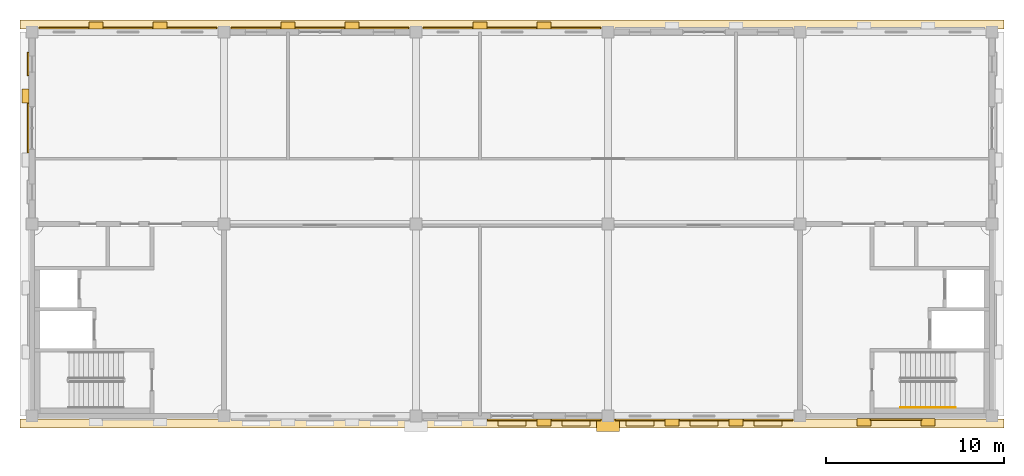
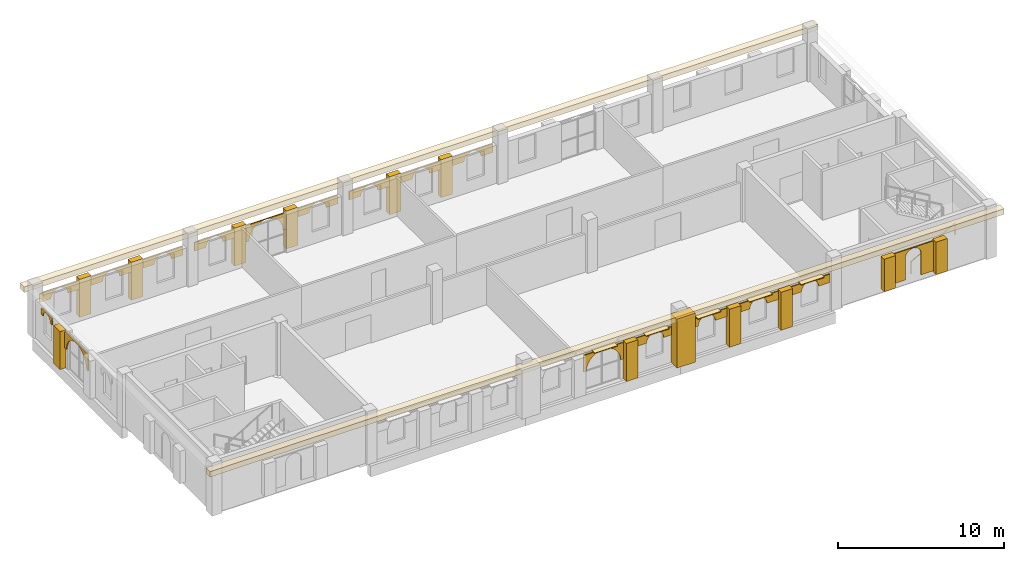
# One storey, part 16 of 17: 37 coverings, 1 railing.
"""IFC4 building model written with IfcOpenShell, lengths in metres."""

import ifcopenshell
import ifcopenshell.guid

model = None  # the IFC model being written
_history = None  # IfcOwnerHistory: only IFC2X3 demands one
_inside = {}  # id of a spatial element -> (the spatial element, [elements in it])
_under = {}  # id of a project, library or spatial element -> (it, [spatial elements below it])
_declared = {}  # id of a project -> (the project, [libraries it declares])
_typed = {}  # id of a type object -> (the type object, [elements of that type])
_made_of = {}  # id of a material, layer set ... -> (it, [elements and type objects made of it])


def new_model(schema):
    """Start an empty IFC model of exactly this schema.

    Asked for "IFC4X3", IfcOpenShell would pick the latest addendum, in which some entities
    have other attributes; the version numbers below select the first issue.
    IFC2X3 requires an IfcOwnerHistory on every rooted entity: one is made here for all.
    """
    global model, _history
    if schema == "IFC4X3":
        model = ifcopenshell.file(schema_version=(4, 3, 0, 0))
    else:
        model = ifcopenshell.file(schema=schema)
    _inside.clear()
    _under.clear()
    _declared.clear()
    _typed.clear()
    _made_of.clear()
    _history = None
    if model.schema == "IFC2X3":
        org = make("IfcOrganization", Name="unknown")
        user = make(
            "IfcPersonAndOrganization",
            ThePerson=make("IfcPerson", FamilyName="unknown"),
            TheOrganization=org,
        )
        app = make(
            "IfcApplication",
            ApplicationDeveloper=org,
            Version="unknown",
            ApplicationFullName="unknown",
            ApplicationIdentifier="unknown",
        )
        _history = make(
            "IfcOwnerHistory",
            OwningUser=user,
            OwningApplication=app,
            ChangeAction="ADDED",
            CreationDate=0,
        )
    return model


def make(cls, **values):
    """One entity of the class cls with the attributes given. An attribute that is None is left unset."""
    return model.create_entity(
        cls, **{name: value for name, value in values.items() if value is not None}
    )


def rooted(cls, **values):
    """An entity with a GlobalId (a new one), such as an element, a storey or a relation."""
    return make(cls, GlobalId=ifcopenshell.guid.new(), OwnerHistory=_history, **values)


def si_unit(unit_type, name, prefix=None):
    """IfcSIUnit, for example si_unit("LENGTHUNIT", "METRE", prefix="MILLI")."""
    return make("IfcSIUnit", UnitType=unit_type, Prefix=prefix, Name=name)


def assignment(units):
    """IfcUnitAssignment: the units of a project."""
    return None if units is None else make("IfcUnitAssignment", Units=units)


def point(xyz):
    """IfcCartesianPoint."""
    return None if xyz is None else make("IfcCartesianPoint", Coordinates=xyz)


def direction(xyz):
    """IfcDirection."""
    return None if xyz is None else make("IfcDirection", DirectionRatios=xyz)


def frame(location, z_axis=None, x_axis=None):
    """IfcAxis2Placement3D, a coordinate frame: its origin and axes. An axis left out is left unset."""
    return make(
        "IfcAxis2Placement3D",
        Location=point(location),
        Axis=direction(z_axis),
        RefDirection=direction(x_axis),
    )


def frame_2d(location, x_axis=None):
    """IfcAxis2Placement2D, a coordinate frame in the plane: its origin and x axis."""
    return make(
        "IfcAxis2Placement2D", Location=point(location), RefDirection=direction(x_axis)
    )


def origin():
    """The frame at (0, 0, 0) with its axes left unset."""
    return frame((0.0, 0.0, 0.0))


def origin_2d():
    """The frame at (0, 0) in the plane with its x axis left unset."""
    return frame_2d((0.0, 0.0))


def place(relative_to, where):
    """IfcLocalPlacement: puts the frame where relative to a parent placement (None: the world)."""
    return make(
        "IfcLocalPlacement", PlacementRelTo=relative_to, RelativePlacement=where
    )


def context(
    kind, dimensions, precision=None, world=None, true_north=None, identifier=None
):
    """IfcGeometricRepresentationContext, for example the 3D "Model" context."""
    return make(
        "IfcGeometricRepresentationContext",
        ContextIdentifier=identifier,
        ContextType=kind,
        CoordinateSpaceDimension=dimensions,
        Precision=precision,
        WorldCoordinateSystem=world,
        TrueNorth=true_north,
    )


def subcontext(parent, identifier, kind, view, scale=None):
    """IfcGeometricRepresentationSubContext, for example "Body" below "Model"."""
    return make(
        "IfcGeometricRepresentationSubContext",
        ContextIdentifier=identifier,
        ContextType=kind,
        ParentContext=parent,
        TargetScale=scale,
        TargetView=view,
    )


def project(units=None, contexts=None):
    """IfcProject with its units and contexts."""
    return rooted(
        "IfcProject",
        Name="project",
        RepresentationContexts=contexts,
        UnitsInContext=assignment(units),
    )


def spatial(cls, under=None, at=None, **own):
    """A site, building, storey or space (cls), placed at a placement, below another one or the project."""
    s = rooted(cls, ObjectPlacement=at, **own)
    if under is not None:
        _under.setdefault(under.id(), (under, []))[1].append(s)
    return s


def polyline(points):
    """IfcPolyline through the points."""
    return make("IfcPolyline", Points=[point(p) for p in points])


def profile(cls, at=None, kind="AREA", **sizes):
    """A parametric profile (cls). Its sizes go by their IFC names, for example OverallWidth=200.0."""
    return make(cls, ProfileType=kind, Position=at, **sizes)


def rectangle(**sizes):
    """IfcRectangleProfileDef."""
    return profile("IfcRectangleProfileDef", **sizes)


def circle(**sizes):
    """IfcCircleProfileDef."""
    return profile("IfcCircleProfileDef", **sizes)


def outline(outer, holes=None, kind="AREA"):
    """IfcArbitraryClosedProfileDef: a profile drawn as a closed curve; with holes, ...WithVoids."""
    if holes is None:
        return make("IfcArbitraryClosedProfileDef", ProfileType=kind, OuterCurve=outer)
    return make(
        "IfcArbitraryProfileDefWithVoids",
        ProfileType=kind,
        OuterCurve=outer,
        InnerCurves=holes,
    )


def extrude(swept, where, along, depth):
    """IfcExtrudedAreaSolid: the profile swept, set in the frame where, extruded along a direction by depth."""
    return make(
        "IfcExtrudedAreaSolid",
        SweptArea=swept,
        Position=where,
        ExtrudedDirection=direction(along),
        Depth=depth,
    )


def shape(context_of_items, identifier, shape_type, items):
    """IfcShapeRepresentation: the items that make up one representation, for example the "Body"."""
    return make(
        "IfcShapeRepresentation",
        ContextOfItems=context_of_items,
        RepresentationIdentifier=identifier,
        RepresentationType=shape_type,
        Items=items,
    )


def material(Name=None, Category=None):
    """IfcMaterial."""
    return make("IfcMaterial", Name=Name, Category=Category)


def layer(
    of_material, thickness, ventilated=None, Name=None, Category=None, Priority=None
):
    """IfcMaterialLayer: one layer of a wall or slab, of a material (None: an air gap)."""
    return make(
        "IfcMaterialLayer",
        Material=of_material,
        LayerThickness=thickness,
        IsVentilated=ventilated,
        Name=Name,
        Category=Category,
        Priority=Priority,
    )


def layer_set(layers, Name=None):
    """IfcMaterialLayerSet."""
    return make("IfcMaterialLayerSet", MaterialLayers=layers, LayerSetName=Name)


def made_of(thing, what):
    """Note that an element or type object is made of a material, layer set ...; save() writes the relation."""
    if what is not None:
        _made_of.setdefault(what.id(), (what, []))[1].append(thing)
    return thing


def type_object(cls, material=None, **own):
    """A type object (cls), such as IfcWallType, which elements share."""
    return made_of(rooted(cls, **own), material)


def element(
    cls,
    number,
    at=None,
    inside=None,
    cuts=None,
    type_object=None,
    material=None,
    context=None,
    identifier="Body",
    shape_type=None,
    held_by="IfcProductDefinitionShape",
    body=None,
    shapes=None,
    **own,
):
    """One element of the class cls, such as IfcWall. Its Tag is "e" and its number.

    at: its placement. inside: the storey or other place that contains it. cuts: it is an
    opening in that element (IfcRelVoidsElement). A single representation is given by context,
    identifier, shape_type and body (its items); several are given by shapes. held_by: the class
    of the entity that holds the representations. save() writes the other relations.
    """
    e = rooted(cls, Tag="e%d" % number, ObjectPlacement=at, **own)
    if body is not None:
        shapes = [shape(context, identifier, shape_type, body)]
    if shapes is not None:
        e.Representation = make(held_by, Representations=shapes)
    if inside is not None:
        _inside.setdefault(inside.id(), (inside, []))[1].append(e)
    if cuts is not None:
        rooted(
            "IfcRelVoidsElement", RelatingBuildingElement=cuts, RelatedOpeningElement=e
        )
    if type_object is not None:
        _typed.setdefault(type_object.id(), (type_object, []))[1].append(e)
    return made_of(e, material)


def aggregate(whole, parts):
    """IfcRelAggregates: a whole, such as a stair, and the parts it consists of."""
    return rooted("IfcRelAggregates", RelatingObject=whole, RelatedObjects=parts)


def save(model, path):
    """Write the relations noted so far, then the file.

    IfcRelAggregates (storeys below a building ...), IfcRelContainedInSpatialStructure (elements
    in a storey), IfcRelDefinesByType, IfcRelAssociatesMaterial and IfcRelDeclares: one each for
    every whole, place, type object, material and project.
    """
    for whole, parts in _under.values():
        aggregate(whole, parts)
    for where, things in _inside.values():
        rooted(
            "IfcRelContainedInSpatialStructure",
            RelatedElements=things,
            RelatingStructure=where,
        )
    for kind, things in _typed.values():
        rooted("IfcRelDefinesByType", RelatedObjects=things, RelatingType=kind)
    for what, things in _made_of.values():
        rooted("IfcRelAssociatesMaterial", RelatedObjects=things, RelatingMaterial=what)
    for by, libraries in _declared.values():
        rooted("IfcRelDeclares", RelatingContext=by, RelatedDefinitions=libraries)
    model.write(path)


model = new_model("IFC4")

# Units and contexts
model_context = context("Model", 3, precision=1e-05, world=origin(), true_north=direction((0.0, 1.0)))
body_context = subcontext(model_context, "Body", "Model", "MODEL_VIEW")
ifc_project = project(units=[si_unit("LENGTHUNIT", "METRE"), si_unit("AREAUNIT", "SQUARE_METRE"), si_unit("VOLUMEUNIT", "CUBIC_METRE"), si_unit("PLANEANGLEUNIT", "RADIAN"), si_unit("MASSUNIT", "GRAM", prefix="KILO")], contexts=[model_context])

# Site, building, storey
site_placement = place(None, origin())
site = spatial("IfcSite", under=ifc_project, at=site_placement, CompositionType="ELEMENT")
building_placement = place(site_placement, origin())
building = spatial("IfcBuilding", under=site, at=building_placement, Name="Magnolia Steps Interchange", CompositionType="ELEMENT")
storey_placement = place(building_placement, frame((0.0, 0.0, 20.39990234375)))
storey = spatial("IfcBuildingStorey", under=building, at=storey_placement, Name="L05", CompositionType="ELEMENT", Elevation=20.39990234375)

# Coverings
ifc_material_1 = material(Name="Lime render")
ifc_layer_1 = layer(ifc_material_1, 0.080078125)
ifc_layer_set_1 = layer_set([ifc_layer_1], Name="Lime render arch infill")
covering_type_1 = type_object("IfcCoveringType", Name="Lime render arch infill", PredefinedType="CLADDING", material=ifc_layer_set_1)
covering_1_placement = place(storey_placement, frame((79.0, 118.175048828125, 1.47998046875), z_axis=(0.0, -1.0, 0.0), x_axis=(0.111727497739, 0.0, 0.993738882327)))
element("IfcCovering", 1, at=covering_1_placement, inside=storey, type_object=covering_type_1, Name="Arched head over opening g2", PredefinedType="CLADDING", context=body_context, shape_type="SweptSolid", body=[
    extrude(outline(polyline([(0.0, 0.0), (0.268772661, 0.0), (0.530775471, -0.059969747), (0.772847059, -0.176475415), (0.982848175, -0.34424851), (1.150413918, -0.55413586), (1.266850396, -0.796550742), (1.32674829, -1.058343317), (1.326505678, -1.327143256), (1.266778543, -1.589118788), (1.150030263, -1.831217653), (0.98249978, -2.041191492), (0.772369818, -2.208784513), (0.530197548, -2.325193713), (0.268135084, -2.384876273), (0.290502405, -2.583818139), (1.50307734, -2.447486588), (1.190234891, 0.335030805), (-0.022340044, 0.198699254), (0.0, 0.0)])), origin(), (0.0, 0.0, -1.0), 0.080078125),
])
covering_2_placement = place(storey_placement, frame((65.199951171875, 118.175048828125, 2.080078125), z_axis=(0.0, -1.0, 0.0), x_axis=(0.112624375469, 0.0, 0.993637635182)))
element("IfcCovering", 2, at=covering_2_placement, inside=storey, type_object=covering_type_1, Name="Arched head over opening W00180", PredefinedType="CLADDING", context=body_context, shape_type="SweptSolid", body=[
    extrude(outline(polyline([(0.0, 0.0), (0.134400024, 0.0), (0.265307145, -0.029880371), (0.386381719, -0.087902644), (0.491686788, -0.171545596), (0.575363002, -0.276804986), (0.633784413, -0.397703495), (0.66386524, -0.528693992), (0.66386524, -0.663094016), (0.633984869, -0.794001137), (0.575962596, -0.915075712), (0.49204956, -1.020165689), (0.387060254, -1.104056994), (0.266161744, -1.162478405), (0.135143751, -1.192316645), (0.225248751, -1.98727527), (0.841420527, -1.917434959), (0.526066776, 0.864798937), (-0.090105, 0.794958626), (0.0, 0.0)])), origin(), (0.0, 0.0, -1.0), 0.080078125),
])
covering_3_placement = place(storey_placement, frame((68.800048828125, 118.175048828125, 2.080078125), z_axis=(0.0, -1.0, 0.0), x_axis=(0.1108303469, 0.0, 0.993839340239)))
element("IfcCovering", 3, at=covering_3_placement, inside=storey, type_object=covering_type_1, Name="Arched head over opening W00540", PredefinedType="CLADDING", context=body_context, shape_type="SweptSolid", body=[
    extrude(outline(polyline([(0.0, 0.0), (0.134372747, 0.0), (0.265225711, -0.030116653), (0.386222396, -0.088600048), (0.49137629, -0.172432974), (0.574835281, -0.277600619), (0.633065394, -0.398847038), (0.662882632, -0.529648991), (0.662639995, -0.664048796), (0.632550401, -0.795144396), (0.574309643, -0.916114024), (0.490207021, -1.021052339), (0.385066435, -1.104753967), (0.264062652, -1.162957021), (0.132991005, -1.192558681), (0.221660694, -1.98767868), (0.83795755, -1.918950877), (0.527627167, 0.863847803), (-0.088669689, 0.79512), (0.0, 0.0)])), origin(), (0.0, 0.0, -1.0), 0.080078125),
])
covering_4_placement = place(storey_placement, frame((72.39990234375, 118.175048828125, 2.080078125), z_axis=(0.0, -1.0, 0.0), x_axis=(0.112624375469, 0.0, 0.993637635182)))
element("IfcCovering", 4, at=covering_4_placement, inside=storey, type_object=covering_type_1, Name="Arched head over opening W00900", PredefinedType="CLADDING", context=body_context, shape_type="SweptSolid", body=[
    extrude(outline(polyline([(0.0, 0.0), (0.134400024, 0.0), (0.265307145, -0.029880371), (0.386409216, -0.088145231), (0.491714284, -0.171788184), (0.575363002, -0.276804986), (0.633784413, -0.397703495), (0.66386524, -0.528693992), (0.66386524, -0.663094016), (0.633984869, -0.794001137), (0.575962596, -0.915075712), (0.49204956, -1.020165689), (0.387060254, -1.104056994), (0.266161744, -1.162478405), (0.135171248, -1.192559232), (0.225248751, -1.98727527), (0.841420527, -1.917434959), (0.526094272, 0.864556349), (-0.090077503, 0.794716038), (0.0, 0.0)])), origin(), (0.0, 0.0, -1.0), 0.080078125),
])
covering_5_placement = place(storey_placement, frame((76.0, 118.175048828125, 2.080078125), z_axis=(0.0, -1.0, 0.0), x_axis=(0.1108303469, 0.0, 0.993839340239)))
element("IfcCovering", 5, at=covering_5_placement, inside=storey, type_object=covering_type_1, Name="Arched head over opening W01260", PredefinedType="CLADDING", context=body_context, shape_type="SweptSolid", body=[
    extrude(outline(polyline([(0.0, 0.0), (0.134372747, 0.0), (0.265225711, -0.030116653), (0.386222396, -0.088600048), (0.49137629, -0.172432974), (0.574835281, -0.277600619), (0.633065394, -0.398847038), (0.66290969, -0.529891627), (0.662639995, -0.664048796), (0.632550401, -0.795144396), (0.574309643, -0.916114024), (0.490207021, -1.021052339), (0.385066435, -1.104753967), (0.264062652, -1.162957021), (0.132991005, -1.192558681), (0.221660694, -1.98767868), (0.83795755, -1.918950877), (0.527627167, 0.863847803), (-0.088669689, 0.79512), (0.0, 0.0)])), origin(), (0.0, 0.0, -1.0), 0.080078125),
])
covering_6_placement = place(storey_placement, frame((83.199951171875, 118.175048828125, 2.080078125), z_axis=(0.0, -1.0, 0.0), x_axis=(0.112624375469, 0.0, 0.993637635182)))
element("IfcCovering", 6, at=covering_6_placement, inside=storey, type_object=covering_type_1, Name="Arched head over opening W00240", PredefinedType="CLADDING", context=body_context, shape_type="SweptSolid", body=[
    extrude(outline(polyline([(0.0, 0.0), (0.134400024, 0.0), (0.265307145, -0.029880371), (0.386381719, -0.087902644), (0.491686788, -0.171545596), (0.575363002, -0.276804986), (0.633784413, -0.397703495), (0.66386524, -0.528693992), (0.66386524, -0.663094016), (0.633984869, -0.794001137), (0.575962596, -0.915075712), (0.49204956, -1.020165689), (0.387060254, -1.104056994), (0.266161744, -1.162478405), (0.135143751, -1.192316645), (0.225248751, -1.98727527), (0.841420527, -1.917434959), (0.526066776, 0.864798937), (-0.090105, 0.794958626), (0.0, 0.0)])), origin(), (0.0, 0.0, -1.0), 0.080078125),
])
covering_7_placement = place(storey_placement, frame((86.800048828125, 118.175048828125, 2.080078125), z_axis=(0.0, -1.0, 0.0), x_axis=(0.1108303469, 0.0, 0.993839340239)))
element("IfcCovering", 7, at=covering_7_placement, inside=storey, type_object=covering_type_1, Name="Arched head over opening W00600", PredefinedType="CLADDING", context=body_context, shape_type="SweptSolid", body=[
    extrude(outline(polyline([(0.0, 0.0), (0.134372747, 0.0), (0.265225711, -0.030116653), (0.386222396, -0.088600048), (0.49137629, -0.172432974), (0.574835281, -0.277600619), (0.633065394, -0.398847038), (0.662882632, -0.529648991), (0.662639995, -0.664048796), (0.632550401, -0.795144396), (0.574309643, -0.916114024), (0.490207021, -1.021052339), (0.385066435, -1.104753967), (0.264062652, -1.162957021), (0.132991005, -1.192558681), (0.221660694, -1.98767868), (0.83795755, -1.918950877), (0.527627167, 0.863847803), (-0.088669689, 0.79512), (0.0, 0.0)])), origin(), (0.0, 0.0, -1.0), 0.080078125),
])
covering_8_placement = place(storey_placement, frame((90.39990234375, 118.175048828125, 2.080078125), z_axis=(0.0, -1.0, 0.0), x_axis=(0.112624375469, 0.0, 0.993637635182)))
element("IfcCovering", 8, at=covering_8_placement, inside=storey, type_object=covering_type_1, Name="Arched head over opening W00960", PredefinedType="CLADDING", context=body_context, shape_type="SweptSolid", body=[
    extrude(outline(polyline([(0.0, 0.0), (0.134400024, 0.0), (0.265307145, -0.029880371), (0.386409216, -0.088145231), (0.491714284, -0.171788184), (0.575363002, -0.276804986), (0.633784413, -0.397703495), (0.66386524, -0.528693992), (0.66386524, -0.663094016), (0.633984869, -0.794001137), (0.575962596, -0.915075712), (0.49204956, -1.020165689), (0.387060254, -1.104056994), (0.266161744, -1.162478405), (0.135171248, -1.192559232), (0.225248751, -1.98727527), (0.841420527, -1.917434959), (0.526094272, 0.864556349), (-0.090077503, 0.794716038), (0.0, 0.0)])), origin(), (0.0, 0.0, -1.0), 0.080078125),
])
covering_9_placement = place(storey_placement, frame((94.0, 118.175048828125, 2.080078125), z_axis=(0.0, -1.0, 0.0), x_axis=(0.1108303469, 0.0, 0.993839340239)))
element("IfcCovering", 9, at=covering_9_placement, inside=storey, type_object=covering_type_1, Name="Arched head over opening W01320", PredefinedType="CLADDING", context=body_context, shape_type="SweptSolid", body=[
    extrude(outline(polyline([(0.0, 0.0), (0.134372747, 0.0), (0.265225711, -0.030116653), (0.386222396, -0.088600048), (0.49137629, -0.172432974), (0.574835281, -0.277600619), (0.633065394, -0.398847038), (0.66290969, -0.529891627), (0.662639995, -0.664048796), (0.632550401, -0.795144396), (0.574309643, -0.916114024), (0.490207021, -1.021052339), (0.385066435, -1.104753967), (0.264062652, -1.162957021), (0.132991005, -1.192558681), (0.221660694, -1.98767868), (0.83795755, -1.918950877), (0.527627167, 0.863847803), (-0.088669689, 0.79512), (0.0, 0.0)])), origin(), (0.0, 0.0, -1.0), 0.080078125),
])
covering_10_placement = place(storey_placement, frame((89.60009765625, 96.22509765625, 1.47998046875), z_axis=(0.0, 1.0, 0.0), x_axis=(0.0, 0.0, 1.0)))
element("IfcCovering", 10, at=covering_10_placement, inside=storey, type_object=covering_type_1, Name="Arched head over opening g2", PredefinedType="CLADDING", context=body_context, shape_type="SweptSolid", body=[
    extrude(outline(polyline([(0.0, 0.0), (1.220214844, 0.0), (1.220214844, 2.799804688), (0.0, 2.799804688), (0.0, 2.599853516), (0.267089844, 2.569824219), (0.520751953, 2.481201172), (0.748291016, 2.338134766), (0.938232422, 2.148193359), (1.081298828, 1.920654297), (1.169921875, 1.666992188), (1.200195312, 1.399902344), (1.169921875, 1.1328125), (1.081298828, 0.879150391), (0.938232422, 0.651611328), (0.748291016, 0.461669922), (0.520751953, 0.318603516), (0.267089844, 0.229980469), (0.0, 0.199951172), (0.0, 0.0)])), origin(), (0.0, 0.0, -1.0), 0.080078125),
])
covering_11_placement = place(storey_placement, frame((93.199951171875, 96.22509765625, 2.080078125), z_axis=(0.0, 1.0, 0.0), x_axis=(0.0, 0.0, 1.0)))
element("IfcCovering", 11, at=covering_11_placement, inside=storey, type_object=covering_type_1, Name="Arched head over opening W00240", PredefinedType="CLADDING", context=body_context, shape_type="SweptSolid", body=[
    extrude(outline(polyline([(0.0, 0.0), (0.620117188, 0.0), (0.620117188, 2.800048828), (0.0, 2.800048828), (0.0, 2.0), (0.133544922, 1.985107422), (0.260253906, 1.940673828), (0.374023438, 1.869140625), (0.469238281, 1.774169922), (0.540527344, 1.660400391), (0.584960938, 1.533447266), (0.600097656, 1.400146484), (0.584960938, 1.266601562), (0.540527344, 1.139648438), (0.469238281, 1.025878906), (0.374023438, 0.930908203), (0.260253906, 0.859375), (0.133544922, 0.814941406), (0.0, 0.800048828), (0.0, 0.0)])), origin(), (0.0, 0.0, -1.0), 0.080078125),
])
covering_12_placement = place(storey_placement, frame((96.800048828125, 96.22509765625, 2.080078125), z_axis=(0.0, 1.0, 0.0), x_axis=(0.0, 0.0, 1.0)))
element("IfcCovering", 12, at=covering_12_placement, inside=storey, type_object=covering_type_1, Name="Arched head over opening W00600", PredefinedType="CLADDING", context=body_context, shape_type="SweptSolid", body=[
    extrude(outline(polyline([(0.0, 0.0), (0.620117188, 0.0), (0.620117188, 2.800048828), (0.0, 2.800048828), (0.0, 2.0), (0.133544922, 1.984863281), (0.260253906, 1.940429688), (0.374023438, 1.869140625), (0.469238281, 1.774169922), (0.540527344, 1.66015625), (0.584960938, 1.533447266), (0.600097656, 1.399902344), (0.584960938, 1.266357422), (0.540527344, 1.139648438), (0.469238281, 1.025878906), (0.374023438, 0.930908203), (0.260253906, 0.859375), (0.133544922, 0.814941406), (0.0, 0.800048828), (0.0, 0.0)])), origin(), (0.0, 0.0, -1.0), 0.080078125),
])
covering_13_placement = place(storey_placement, frame((100.39990234375, 96.22509765625, 2.080078125), z_axis=(0.0, 1.0, 0.0), x_axis=(0.0, 0.0, 1.0)))
element("IfcCovering", 13, at=covering_13_placement, inside=storey, type_object=covering_type_1, Name="Arched head over opening W00960", PredefinedType="CLADDING", context=body_context, shape_type="SweptSolid", body=[
    extrude(outline(polyline([(0.0, 0.0), (0.620117188, 0.0), (0.620117188, 2.800048828), (0.0, 2.800048828), (0.0, 2.0), (0.133544922, 1.985107422), (0.260253906, 1.940673828), (0.374023438, 1.869140625), (0.469238281, 1.774169922), (0.540527344, 1.660400391), (0.584960938, 1.533691406), (0.600097656, 1.400146484), (0.584960938, 1.266601562), (0.540527344, 1.139892578), (0.469238281, 1.025878906), (0.374023438, 0.930908203), (0.260253906, 0.859619141), (0.133544922, 0.815185547), (0.0, 0.800048828), (0.0, 0.0)])), origin(), (0.0, 0.0, -1.0), 0.080078125),
])
covering_14_placement = place(storey_placement, frame((104.0, 96.22509765625, 2.080078125), z_axis=(0.0, 1.0, 0.0), x_axis=(0.0, 0.0, 1.0)))
element("IfcCovering", 14, at=covering_14_placement, inside=storey, type_object=covering_type_1, Name="Arched head over opening W01320", PredefinedType="CLADDING", context=body_context, shape_type="SweptSolid", body=[
    extrude(outline(polyline([(0.0, 0.0), (0.620117188, 0.0), (0.620117188, 2.800048828), (0.0, 2.800048828), (0.0, 2.0), (0.133544922, 1.985107422), (0.260253906, 1.940673828), (0.374023438, 1.869140625), (0.469238281, 1.774169922), (0.540527344, 1.660400391), (0.584960938, 1.533447266), (0.600097656, 1.399902344), (0.584960938, 1.266601562), (0.540527344, 1.139648438), (0.469238281, 1.025878906), (0.374023438, 0.930908203), (0.260253906, 0.859375), (0.133544922, 0.814941406), (0.0, 0.800048828), (0.0, 0.0)])), origin(), (0.0, 0.0, -1.0), 0.080078125),
])
covering_15_placement = place(storey_placement, frame((63.824951171875, 111.39990234375, 1.47998046875), z_axis=(1.0, 0.0, 0.0), x_axis=(0.0, 0.112624375469, 0.993637635182)))
element("IfcCovering", 15, at=covering_15_placement, inside=storey, type_object=covering_type_1, Name="Arched head over opening g2", PredefinedType="CLADDING", context=body_context, shape_type="SweptSolid", body=[
    extrude(outline(polyline([(0.0, 0.0), (0.268800048, 0.0), (0.530829382, -0.059490658), (0.773033522, -0.176020379), (0.983158484, -0.343361276), (1.150941095, -0.553339888), (1.267568826, -0.795406991), (1.32773048, -1.057387985), (1.327702983, -1.325945445), (1.268212325, -1.587974779), (1.151682605, -1.830178919), (0.984341707, -2.040303881), (0.774363096, -2.208086492), (0.532323489, -2.32495681), (0.270314999, -2.384875877), (0.292834375, -2.583554886), (1.505285766, -2.446128952), (1.189932016, 0.336104944), (-0.022519376, 0.19867901), (0.0, 0.0)])), origin(), (0.0, 0.0, -1.0), 0.080078125),
])
covering_16_placement = place(storey_placement, frame((63.824951171875, 115.75, 2.22998046875), z_axis=(1.0, 0.0, 0.0), x_axis=(0.0, 0.111495577518, 0.993764930048)))
element("IfcCovering", 16, at=covering_16_placement, inside=storey, type_object=covering_type_1, Name="Arched head over opening W00240", PredefinedType="CLADDING", context=body_context, shape_type="SweptSolid", body=[
    extrude(outline(polyline([(0.0, 0.0), (0.100725688, 0.0), (0.199076083, -0.022622686), (0.289953831, -0.066228903), (0.368504198, -0.129152279), (0.431407454, -0.208080184), (0.474992369, -0.298756736), (0.497555879, -0.396950908), (0.497313261, -0.497703817), (0.474933193, -0.596026991), (0.431084357, -0.68693196), (0.3684036, -0.765455106), (0.289475695, -0.828358363), (0.198556524, -0.871970498), (0.100335132, -0.89429139), (0.122656024, -1.09323847), (0.589939045, -1.040811595), (0.44498935, 0.251131338), (-0.022293671, 0.198704462), (0.0, 0.0)])), origin(), (0.0, 0.0, -1.0), 0.080078125),
])
covering_17_placement = place(storey_placement, frame((111.14990234375, 96.25, 0.400146484375), z_axis=(0.0, 1.0, 0.0), x_axis=(0.0, 0.0, 1.0)))
element("IfcCovering", 17, at=covering_17_placement, inside=storey, type_object=covering_type_1, Name="Arched niche OC-E L05 S", PredefinedType="CLADDING", context=body_context, shape_type="SweptSolid", body=[
    extrude(outline(polyline([(0.0, 0.0), (2.199951172, 0.0), (2.199951172, 2.900146484), (0.0, 2.900146484), (0.0, 2.0), (1.599853516, 2.0), (1.742431641, 1.981445312), (1.875, 1.926513672), (1.988769531, 1.839111328), (2.076171875, 1.725097656), (2.131347656, 1.592529297), (2.149902344, 1.450195312), (2.131347656, 1.307617188), (2.076171875, 1.175048828), (1.988769531, 1.061279297), (1.875, 0.973876953), (1.742431641, 0.918701172), (1.599853516, 0.900146484), (0.0, 0.900146484), (0.0, 0.0)])), origin(), (0.0, 0.0, -1.0), 0.080078125),
])
ifc_material_2 = material(Name="Lime render")
ifc_layer_2 = layer(ifc_material_2, 0.1201171875)
ifc_layer_set_2 = layer_set([ifc_layer_2], Name="Lime render band")
covering_type_2 = type_object("IfcCoveringType", Name="Lime render band", PredefinedType="CLADDING", material=ifc_layer_set_2)
for number, where, z_axis, x_axis, name in (
    (18, (91.0, 95.97509765625, 3.2001953125), (0.0, 0.0, 1.0), (1.0, 0.0, 0.0), "String course L05 S"),
    (19, (91.0, 118.425048828125, 3.2001953125), (0.0, 0.0, 1.0), (1.0, 0.0, 0.0), "String course L05 N"),
):
    element("IfcCovering", number, at=place(storey_placement, frame(where, z_axis=z_axis, x_axis=x_axis)), inside=storey, type_object=covering_type_2, Name=name, PredefinedType="CLADDING", context=body_context, shape_type="SweptSolid", body=[
        extrude(rectangle(XDim=55.35009765625, YDim=0.5, at=origin_2d()), origin(), (0.0, 0.0, 1.0), 0.39990234375),
    ])
ifc_material_3 = material(Name="Lime render")
ifc_layer_3 = layer(ifc_material_3, 0.39990234375)
ifc_layer_set_3 = layer_set([ifc_layer_3], Name="Lime render pilaster")
covering_type_3 = type_object("IfcCoveringType", Name="Lime render pilaster", PredefinedType="CLADDING", material=ifc_layer_set_3)
for number, where, z_axis, x_axis, name in (
    (20, (92.800048828125, 96.02490234375, 0.0), (0.0, 0.0, 1.0), (1.0, 0.0, 0.0), "Pilaster L05 S 4"),
    (21, (100.0, 96.02490234375, 0.0), (0.0, 0.0, 1.0), (1.0, 0.0, 0.0), "Pilaster L05 S 5"),
    (22, (103.60009765625, 96.02490234375, 0.0), (0.0, 0.0, 1.0), (1.0, 0.0, 0.0), "Pilaster L05 S 6"),
    (23, (67.60009765625, 118.375, 0.0), (0.0, 0.0, 1.0), (1.0, 0.0, 0.0), "Pilaster L05 N 1"),
    (24, (71.199951171875, 118.375, 0.0), (0.0, 0.0, 1.0), (1.0, 0.0, 0.0), "Pilaster L05 N 2"),
    (25, (78.39990234375, 118.375, 0.0), (0.0, 0.0, 1.0), (1.0, 0.0, 0.0), "Pilaster L05 N 3"),
    (26, (82.0, 118.375, 0.0), (0.0, 0.0, 1.0), (1.0, 0.0, 0.0), "Pilaster L05 N 4"),
    (27, (89.199951171875, 118.375, 0.0), (0.0, 0.0, 1.0), (1.0, 0.0, 0.0), "Pilaster L05 N 5"),
    (28, (92.800048828125, 118.375, 0.0), (0.0, 0.0, 1.0), (1.0, 0.0, 0.0), "Pilaster L05 N 6"),
):
    element("IfcCovering", number, at=place(storey_placement, frame(where, z_axis=z_axis, x_axis=x_axis)), inside=storey, type_object=covering_type_3, Name=name, PredefinedType="CLADDING", context=body_context, shape_type="SweptSolid", body=[
        extrude(rectangle(XDim=0.800048828125, YDim=0.39990234375, at=origin_2d()), origin(), (0.0, 0.0, 1.0), 2.800048828125),
    ])
covering_18_placement = place(storey_placement, frame((63.625, 114.39990234375, 0.0), z_axis=(0.0, 0.0, 1.0), x_axis=(1.0, 0.0, 0.0)))
element("IfcCovering", 29, at=covering_18_placement, inside=storey, type_object=covering_type_3, Name="Pilaster L05 W 2", PredefinedType="CLADDING", context=body_context, shape_type="SweptSolid", body=[
    extrude(rectangle(XDim=0.39990234375, YDim=0.800048828125, at=origin_2d()), origin(), (0.0, 0.0, 1.0), 2.800048828125),
])
for number, where, z_axis, x_axis, name in (
    (30, (110.800048828125, 96.050048828125, 0.300048828125), (0.0, 0.0, 1.0), (1.0, 0.0, 0.0), "Core pilaster OC-E L05 S 1"),
    (31, (114.39990234375, 96.050048828125, 0.300048828125), (0.0, 0.0, 1.0), (1.0, 0.0, 0.0), "Core pilaster OC-E L05 S 2"),
):
    element("IfcCovering", number, at=place(storey_placement, frame(where, z_axis=z_axis, x_axis=x_axis)), inside=storey, type_object=covering_type_3, Name=name, PredefinedType="CLADDING", context=body_context, shape_type="SweptSolid", body=[
        extrude(rectangle(XDim=0.800048828125, YDim=0.39990234375, at=origin_2d()), origin(), (0.0, 0.0, 1.0), 2.39990234375),
    ])
covering_19_placement = place(storey_placement, frame((96.39990234375, 95.875, 0.0), z_axis=(0.0, 0.0, 1.0), x_axis=(1.0, 0.0, 0.0)))
element("IfcCovering", 32, at=covering_19_placement, inside=storey, type_object=covering_type_3, Name="Giant pilaster L05 2", PredefinedType="CLADDING", context=body_context, shape_type="SweptSolid", body=[
    extrude(rectangle(XDim=1.300048828125, YDim=0.699951171875, at=origin_2d()), origin(), (0.0, 0.0, 1.0), 3.60009765625),
])

# Railing
ifc_material_4 = material(Name="Stainless steel grade 304", Category="steel")
railing_type = type_object("IfcRailingType", Name="Stair handrail 900", PredefinedType="HANDRAIL", material=ifc_material_4)
railing_placement = place(storey_placement, frame((112.85009765625, 96.8740234375, 0.16259765625)))
element("IfcRailing", 33, at=railing_placement, inside=storey, type_object=railing_type, Name="L05 ST29 stair handrail 1", PredefinedType="HANDRAIL", context=body_context, shape_type="SweptSolid", body=[
    extrude(circle(Radius=0.02392578125, at=origin_2d()), frame((0.0, 0.0, 0.8759765625), z_axis=(0.864873446163, 0.0, 0.501989962173), x_axis=(0.0, 1.0, 0.0)), (0.0, 0.0, 1.0), 3.56103515625),
    extrude(circle(Radius=0.02099609375, at=origin_2d()), origin(), (0.0, 0.0, 1.0), 0.851806640625),
    extrude(circle(Radius=0.02099609375, at=origin_2d()), frame((1.026611328125, 0.0, 0.595947265625)), (0.0, 0.0, 1.0), 0.851806640625),
    extrude(circle(Radius=0.02099609375, at=origin_2d()), frame((2.05322265625, 0.0, 1.191650390625)), (0.0, 0.0, 1.0), 0.851806640625),
    extrude(circle(Radius=0.02099609375, at=origin_2d()), frame((3.079833984375, 0.0, 1.78759765625)), (0.0, 0.0, 1.0), 0.851806640625),
])

# Coverings
ifc_material_5 = material(Name="Timber", Category="wood")
ifc_layer_4 = layer(ifc_material_5, 0.050048828125)
ifc_layer_set_4 = layer_set([ifc_layer_4], Name="Timber sunshade louvre")
covering_type_4 = type_object("IfcCoveringType", Name="Timber sunshade louvre", PredefinedType="CLADDING", material=ifc_layer_set_4)
for number, where, z_axis, x_axis, name in (
    (34, (91.0, 96.02490234375, 2.8251953125), (0.0, 0.0, 1.0), (1.0, 0.0, 0.0), "Sunshade louvre L05 5"),
    (35, (94.60009765625, 96.02490234375, 2.8251953125), (0.0, 0.0, 1.0), (1.0, 0.0, 0.0), "Sunshade louvre L05 6"),
    (36, (98.199951171875, 96.02490234375, 2.8251953125), (0.0, 0.0, 1.0), (1.0, 0.0, 0.0), "Sunshade louvre L05 7"),
    (37, (101.800048828125, 96.02490234375, 2.8251953125), (0.0, 0.0, 1.0), (1.0, 0.0, 0.0), "Sunshade louvre L05 8"),
    (38, (105.39990234375, 96.02490234375, 2.8251953125), (0.0, 0.0, 1.0), (1.0, 0.0, 0.0), "Sunshade louvre L05 9"),
):
    element("IfcCovering", number, at=place(storey_placement, frame(where, z_axis=z_axis, x_axis=x_axis)), inside=storey, type_object=covering_type_4, Name=name, PredefinedType="CLADDING", context=body_context, shape_type="SweptSolid", body=[
        extrude(rectangle(XDim=1.60009765625, YDim=0.39990234375, at=origin_2d()), origin(), (0.0, 0.0, 1.0), 0.050048828125),
    ])

save(model, "model.ifc")
